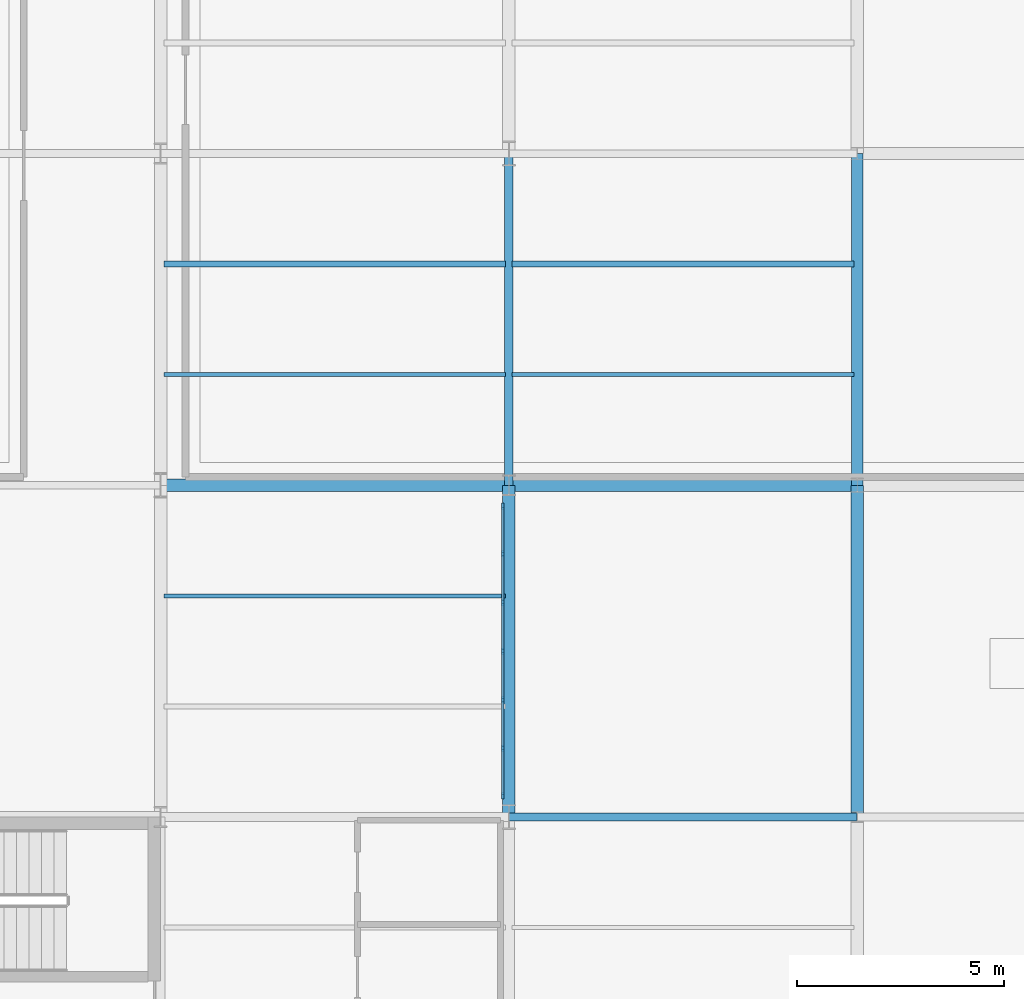
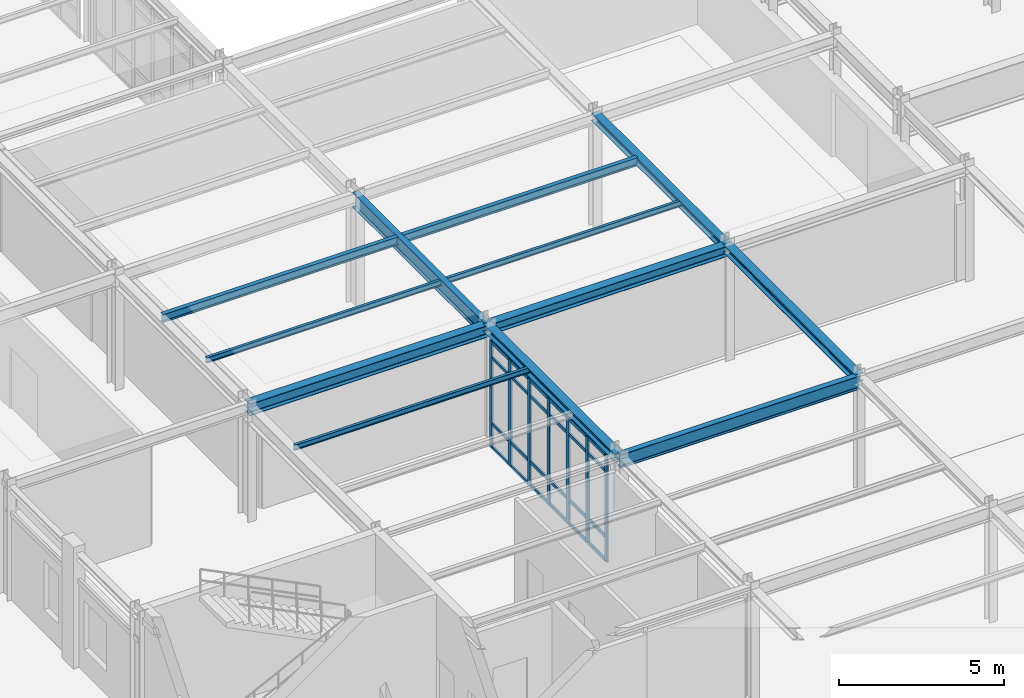
# One storey, part 27 of 101: 31 members, 12 beams, 1 element without a shape of its own.
"""IFC4 building model written with IfcOpenShell, lengths in metres."""

from ifc_helpers import new_model, si_unit, derived_unit, direction, frame, origin, origin_2d, place, context, subcontext, project, spatial, rectangle, i_section, extrude, material, layer, layer_set, material_profile, profile_set, type_object, element, aggregate, save


model = new_model("IFC4")

# Units and contexts
model_context = context("Model", 3, precision=1e-05, world=origin(), true_north=direction((0.0, 1.0)))
body_context = subcontext(model_context, "Body", "Model", "MODEL_VIEW")
ifc_project = project(units=[si_unit("LENGTHUNIT", "METRE"), si_unit("AREAUNIT", "SQUARE_METRE"), si_unit("VOLUMEUNIT", "CUBIC_METRE"), si_unit("PLANEANGLEUNIT", "RADIAN"), si_unit("MASSUNIT", "GRAM", prefix="KILO"), derived_unit("THERMALTRANSMITTANCEUNIT", [(si_unit("POWERUNIT", "WATT"), 1), (si_unit("AREAUNIT", "SQUARE_METRE"), -1), (si_unit("THERMODYNAMICTEMPERATUREUNIT", "KELVIN"), -1)])], contexts=[model_context])

# Site, building, storey
site_placement = place(None, origin())
site = spatial("IfcSite", under=ifc_project, at=site_placement, CompositionType="ELEMENT")
building_placement = place(site_placement, origin())
building = spatial("IfcBuilding", under=site, at=building_placement, Name="Yasenodar Specialist Clinic", CompositionType="ELEMENT")
storey_placement = place(building_placement, origin())
storey = spatial("IfcBuildingStorey", under=building, at=storey_placement, Name="L00", CompositionType="ELEMENT", Elevation=0.0)

# Beams
ifc_material_1 = material(Name="Steel S355", Category="steel")
ifc_material_profile_1 = material_profile(ifc_material_1, i_section(OverallWidth=0.300048828125, OverallDepth=0.2900390625, WebThickness=0.008544921875, FlangeThickness=0.013916015625, FilletRadius=0.027099609375, at=origin_2d()), Name="HEA 300")
ifc_profile_set_1 = profile_set([ifc_material_profile_1], Name="Steel S355")
beam_type_1 = type_object("IfcBeamType", Name="BM-HEA300", PredefinedType="BEAM", material=ifc_profile_set_1)
beam_1_placement = place(storey_placement, frame((16.800048828125, 42.800048828125, 4.10498046875), z_axis=(0.0, 1.0, 0.0), x_axis=(-1.0, 0.0, 0.0)))
element("IfcBeam", 1, at=beam_1_placement, inside=storey, type_object=beam_type_1, Name="L00 Primary N-S Girder", PredefinedType="BEAM", context=body_context, shape_type="SweptSolid", body=[
    extrude(i_section(OverallWidth=0.300048828125, OverallDepth=0.2900390625, WebThickness=0.008544921875, FlangeThickness=0.013916015625, FilletRadius=0.027099609375, at=origin_2d()), origin(), (0.0, 0.0, 1.0), 8.0),
])
ifc_material_profile_2 = material_profile(ifc_material_1, i_section(OverallWidth=0.300048828125, OverallDepth=0.389892578125, WebThickness=0.010986328125, FlangeThickness=0.01904296875, FilletRadius=0.027099609375, at=origin_2d()), Name="HEA 400")
ifc_profile_set_2 = profile_set([ifc_material_profile_2], Name="Steel S355")
beam_type_2 = type_object("IfcBeamType", Name="BM-HEA400", PredefinedType="BEAM", material=ifc_profile_set_2)
beam_2_placement = place(storey_placement, frame((16.800048828125, 50.800048828125, 4.054931640625), z_axis=(1.0, 0.0, 0.0), x_axis=(0.0, 1.0, 0.0)))
element("IfcBeam", 2, at=beam_2_placement, inside=storey, type_object=beam_type_2, Name="L00 Primary E-W Girder", PredefinedType="BEAM", context=body_context, shape_type="SweptSolid", body=[
    extrude(i_section(OverallWidth=0.300048828125, OverallDepth=0.389892578125, WebThickness=0.010986328125, FlangeThickness=0.01904296875, FilletRadius=0.027099609375, at=origin_2d()), origin(), (0.0, 0.0, 1.0), 8.39990234375),
])
ifc_material_profile_3 = material_profile(ifc_material_1, i_section(OverallWidth=0.300048828125, OverallDepth=0.43994140625, WebThickness=0.011474609375, FlangeThickness=0.02099609375, FilletRadius=0.027099609375, at=origin_2d()), Name="HEA 450")
ifc_profile_set_3 = profile_set([ifc_material_profile_3], Name="Steel S355")
beam_type_3 = type_object("IfcBeamType", Name="BM-HEA450", PredefinedType="BEAM", material=ifc_profile_set_3)
beam_3_placement = place(storey_placement, frame((8.39990234375, 50.800048828125, 4.030029296875), z_axis=(1.0, 0.0, 0.0), x_axis=(0.0, 1.0, 0.0)))
element("IfcBeam", 3, at=beam_3_placement, inside=storey, type_object=beam_type_3, Name="L00 Primary E-W Girder", PredefinedType="BEAM", context=body_context, shape_type="SweptSolid", body=[
    extrude(i_section(OverallWidth=0.300048828125, OverallDepth=0.43994140625, WebThickness=0.011474609375, FlangeThickness=0.02099609375, FilletRadius=0.027099609375, at=origin_2d()), origin(), (0.0, 0.0, 1.0), 8.400146484375),
])
ifc_material_profile_4 = material_profile(ifc_material_1, i_section(OverallWidth=0.280029296875, OverallDepth=0.280029296875, WebThickness=0.010498046875, FlangeThickness=0.01806640625, FilletRadius=0.02392578125, at=origin_2d()), Name="HEB 280")
ifc_profile_set_4 = profile_set([ifc_material_profile_4], Name="Steel S355")
beam_type_4 = type_object("IfcBeamType", Name="BM-HEB280", PredefinedType="BEAM", material=ifc_profile_set_4)
beam_4_placement = place(storey_placement, frame((25.199951171875, 50.800048828125, 4.110107421875), z_axis=(0.0, 1.0, 0.0), x_axis=(-1.0, 0.0, 0.0)))
element("IfcBeam", 4, at=beam_4_placement, inside=storey, type_object=beam_type_4, Name="L00 Primary N-S Girder", PredefinedType="BEAM", context=body_context, shape_type="SweptSolid", body=[
    extrude(i_section(OverallWidth=0.280029296875, OverallDepth=0.280029296875, WebThickness=0.010498046875, FlangeThickness=0.01806640625, FilletRadius=0.02392578125, at=origin_2d()), origin(), (0.0, 0.0, 1.0), 8.0),
])
ifc_material_profile_5 = material_profile(ifc_material_1, i_section(OverallWidth=0.300048828125, OverallDepth=0.300048828125, WebThickness=0.010986328125, FlangeThickness=0.01904296875, FilletRadius=0.027099609375, at=origin_2d()), Name="HEB 300")
ifc_profile_set_5 = profile_set([ifc_material_profile_5], Name="Steel S355")
beam_type_5 = type_object("IfcBeamType", Name="BM-HEB300", PredefinedType="BEAM", material=ifc_profile_set_5)
beam_5_placement = place(storey_placement, frame((25.199951171875, 42.800048828125, 4.10009765625), z_axis=(0.0, 1.0, 0.0), x_axis=(-1.0, 0.0, 0.0)))
element("IfcBeam", 5, at=beam_5_placement, inside=storey, type_object=beam_type_5, Name="L00 Primary N-S Girder", PredefinedType="BEAM", context=body_context, shape_type="SweptSolid", body=[
    extrude(i_section(OverallWidth=0.300048828125, OverallDepth=0.300048828125, WebThickness=0.010986328125, FlangeThickness=0.01904296875, FilletRadius=0.027099609375, at=origin_2d()), origin(), (0.0, 0.0, 1.0), 8.0),
])
ifc_material_profile_6 = material_profile(ifc_material_1, i_section(OverallWidth=0.199951171875, OverallDepth=0.5, WebThickness=0.01025390625, FlangeThickness=0.01611328125, FilletRadius=0.02099609375, at=origin_2d()), Name="IPE 500")
ifc_profile_set_6 = profile_set([ifc_material_profile_6], Name="Steel S355")
beam_type_6 = type_object("IfcBeamType", Name="BM-IPE500", PredefinedType="BEAM", material=ifc_profile_set_6)
beam_6_placement = place(storey_placement, frame((16.800048828125, 42.800048828125, 4.0), z_axis=(1.0, 0.0, 0.0), x_axis=(0.0, 1.0, 0.0)))
element("IfcBeam", 6, at=beam_6_placement, inside=storey, type_object=beam_type_6, Name="L00 Primary E-W Girder", PredefinedType="BEAM", context=body_context, shape_type="SweptSolid", body=[
    extrude(i_section(OverallWidth=0.199951171875, OverallDepth=0.5, WebThickness=0.01025390625, FlangeThickness=0.01611328125, FilletRadius=0.02099609375, at=origin_2d()), origin(), (0.0, 0.0, 1.0), 8.39990234375),
])
ifc_material_profile_7 = material_profile(ifc_material_1, i_section(OverallWidth=0.2099609375, OverallDepth=0.550048828125, WebThickness=0.010986328125, FlangeThickness=0.01708984375, FilletRadius=0.02392578125, at=origin_2d()), Name="IPE 550")
ifc_profile_set_7 = profile_set([ifc_material_profile_7], Name="Steel S355")
beam_type_7 = type_object("IfcBeamType", Name="BM-IPE550", PredefinedType="BEAM", material=ifc_profile_set_7)
beam_7_placement = place(storey_placement, frame((16.800048828125, 50.800048828125, 3.97509765625), z_axis=(0.0, 1.0, 0.0), x_axis=(-1.0, 0.0, 0.0)))
element("IfcBeam", 7, at=beam_7_placement, inside=storey, type_object=beam_type_7, Name="L00 Primary N-S Girder", PredefinedType="BEAM", context=body_context, shape_type="SweptSolid", body=[
    extrude(i_section(OverallWidth=0.2099609375, OverallDepth=0.550048828125, WebThickness=0.010986328125, FlangeThickness=0.01708984375, FilletRadius=0.02392578125, at=origin_2d()), origin(), (0.0, 0.0, 1.0), 8.0),
])

# Curtain wall, members
ifc_material_2 = material(Name="Bronze Anodized Aluminium and Triple Low-E Glass", Category="aluminium")
ifc_layer = layer(ifc_material_2, 0.202880859375)
ifc_layer_set = layer_set([ifc_layer], Name="Bronze Anodized Aluminium and Triple Low-E Glass")
curtain_wall_type = type_object("IfcCurtainWallType", Name="CW-SYS-04", PredefinedType="USERDEFINED", material=ifc_layer_set)
curtain_wall_placement = place(storey_placement, origin())
curtain_wall = element("IfcCurtainWall", 8, at=curtain_wall_placement, inside=storey, type_object=curtain_wall_type, Name="L00 Unitised Curtain Wall 118", ObjectType="UNITISED CURTAIN WALL", PredefinedType="USERDEFINED")
ifc_material_3 = material(Name="Bronze Anodized Aluminium", Category="aluminium")
ifc_material_profile_8 = material_profile(ifc_material_3, rectangle(XDim=0.06005859375, YDim=0.159912109375, at=origin_2d()), Name="CW-MULL 60x160")
ifc_profile_set_8 = profile_set([ifc_material_profile_8], Name="Bronze Anodized Aluminium")
member_type_1 = type_object("IfcMemberType", Name="CW-MULL-160", PredefinedType="MULLION", material=ifc_profile_set_8)
member_1_placement = place(storey_placement, frame((16.64990234375, 50.2900390625, 0.0), z_axis=(0.0, 0.0, 1.0), x_axis=(1.0, 0.0, 0.0)))
member_1 = element("IfcMember", 9, at=member_1_placement, type_object=member_type_1, Name="CW-04 mullion 1", PredefinedType="MULLION", context=body_context, shape_type="SweptSolid", body=[
    extrude(rectangle(XDim=0.06005859375, YDim=0.159912109375, at=origin_2d()), origin(), (0.0, 0.0, 1.0), 3.93798828125),
])
member_2_placement = place(storey_placement, frame((16.64990234375, 49.146728515625, 0.0), z_axis=(0.0, 0.0, 1.0), x_axis=(1.0, 0.0, 0.0)))
member_2 = element("IfcMember", 10, at=member_2_placement, type_object=member_type_1, Name="CW-04 mullion 2", PredefinedType="MULLION", context=body_context, shape_type="SweptSolid", body=[
    extrude(rectangle(XDim=0.06005859375, YDim=0.159912109375, at=origin_2d()), origin(), (0.0, 0.0, 1.0), 3.93798828125),
])
member_3_placement = place(storey_placement, frame((16.64990234375, 47.973388671875, 0.0), z_axis=(0.0, 0.0, 1.0), x_axis=(1.0, 0.0, 0.0)))
member_3 = element("IfcMember", 11, at=member_3_placement, type_object=member_type_1, Name="CW-04 mullion 3", PredefinedType="MULLION", context=body_context, shape_type="SweptSolid", body=[
    extrude(rectangle(XDim=0.06005859375, YDim=0.159912109375, at=origin_2d()), origin(), (0.0, 0.0, 1.0), 3.93798828125),
])
member_4_placement = place(storey_placement, frame((16.64990234375, 46.800048828125, 0.0), z_axis=(0.0, 0.0, 1.0), x_axis=(1.0, 0.0, 0.0)))
member_4 = element("IfcMember", 12, at=member_4_placement, type_object=member_type_1, Name="CW-04 mullion 4", PredefinedType="MULLION", context=body_context, shape_type="SweptSolid", body=[
    extrude(rectangle(XDim=0.06005859375, YDim=0.159912109375, at=origin_2d()), origin(), (0.0, 0.0, 1.0), 3.93798828125),
])
member_5_placement = place(storey_placement, frame((16.64990234375, 45.626708984375, 0.0), z_axis=(0.0, 0.0, 1.0), x_axis=(1.0, 0.0, 0.0)))
member_5 = element("IfcMember", 13, at=member_5_placement, type_object=member_type_1, Name="CW-04 mullion 5", PredefinedType="MULLION", context=body_context, shape_type="SweptSolid", body=[
    extrude(rectangle(XDim=0.06005859375, YDim=0.159912109375, at=origin_2d()), origin(), (0.0, 0.0, 1.0), 3.93798828125),
])
member_6_placement = place(storey_placement, frame((16.64990234375, 44.453369140625, 0.0), z_axis=(0.0, 0.0, 1.0), x_axis=(1.0, 0.0, 0.0)))
member_6 = element("IfcMember", 14, at=member_6_placement, type_object=member_type_1, Name="CW-04 mullion 6", PredefinedType="MULLION", context=body_context, shape_type="SweptSolid", body=[
    extrude(rectangle(XDim=0.06005859375, YDim=0.159912109375, at=origin_2d()), origin(), (0.0, 0.0, 1.0), 3.93798828125),
])
member_7_placement = place(storey_placement, frame((16.64990234375, 43.31005859375, 0.0), z_axis=(0.0, 0.0, 1.0), x_axis=(1.0, 0.0, 0.0)))
member_7 = element("IfcMember", 15, at=member_7_placement, type_object=member_type_1, Name="CW-04 mullion 7", PredefinedType="MULLION", context=body_context, shape_type="SweptSolid", body=[
    extrude(rectangle(XDim=0.06005859375, YDim=0.159912109375, at=origin_2d()), origin(), (0.0, 0.0, 1.0), 3.93798828125),
])
ifc_material_profile_9 = material_profile(ifc_material_3, rectangle(XDim=0.06005859375, YDim=0.1201171875, at=origin_2d()), Name="CW-TRAN 60x120")
ifc_profile_set_9 = profile_set([ifc_material_profile_9], Name="Bronze Anodized Aluminium")
member_type_2 = type_object("IfcMemberType", Name="CW-TRAN-120", PredefinedType="USERDEFINED", material=ifc_profile_set_9)
member_8_placement = place(storey_placement, frame((16.64990234375, 50.260009765625, 0.030029296875), z_axis=(0.0, -1.0, 0.0), x_axis=(1.0, 0.0, 0.0)))
member_8 = element("IfcMember", 16, at=member_8_placement, type_object=member_type_2, Name="CW-04 transom 1.1", ObjectType="TRANSOM", PredefinedType="USERDEFINED", context=body_context, shape_type="SweptSolid", body=[
    extrude(rectangle(XDim=0.06005859375, YDim=0.1201171875, at=origin_2d()), origin(), (0.0, 0.0, 1.0), 1.083251953125),
])
member_9_placement = place(storey_placement, frame((16.64990234375, 50.260009765625, 0.89990234375), z_axis=(0.0, -1.0, 0.0), x_axis=(1.0, 0.0, 0.0)))
member_9 = element("IfcMember", 17, at=member_9_placement, type_object=member_type_2, Name="CW-04 transom 1.2", ObjectType="TRANSOM", PredefinedType="USERDEFINED", context=body_context, shape_type="SweptSolid", body=[
    extrude(rectangle(XDim=0.06005859375, YDim=0.1201171875, at=origin_2d()), origin(), (0.0, 0.0, 1.0), 1.083251953125),
])
member_10_placement = place(storey_placement, frame((16.64990234375, 50.260009765625, 3.337890625), z_axis=(0.0, -1.0, 0.0), x_axis=(1.0, 0.0, 0.0)))
member_10 = element("IfcMember", 18, at=member_10_placement, type_object=member_type_2, Name="CW-04 transom 1.3", ObjectType="TRANSOM", PredefinedType="USERDEFINED", context=body_context, shape_type="SweptSolid", body=[
    extrude(rectangle(XDim=0.06005859375, YDim=0.1201171875, at=origin_2d()), origin(), (0.0, 0.0, 1.0), 1.083251953125),
])
member_11_placement = place(storey_placement, frame((16.64990234375, 50.260009765625, 3.907958984375), z_axis=(0.0, -1.0, 0.0), x_axis=(1.0, 0.0, 0.0)))
member_11 = element("IfcMember", 19, at=member_11_placement, type_object=member_type_2, Name="CW-04 transom 1.4", ObjectType="TRANSOM", PredefinedType="USERDEFINED", context=body_context, shape_type="SweptSolid", body=[
    extrude(rectangle(XDim=0.06005859375, YDim=0.1201171875, at=origin_2d()), origin(), (0.0, 0.0, 1.0), 1.083251953125),
])
member_12_placement = place(storey_placement, frame((16.64990234375, 49.11669921875, 0.030029296875), z_axis=(0.0, -1.0, 0.0), x_axis=(1.0, 0.0, 0.0)))
member_12 = element("IfcMember", 20, at=member_12_placement, type_object=member_type_2, Name="CW-04 transom 2.1", ObjectType="TRANSOM", PredefinedType="USERDEFINED", context=body_context, shape_type="SweptSolid", body=[
    extrude(rectangle(XDim=0.06005859375, YDim=0.1201171875, at=origin_2d()), origin(), (0.0, 0.0, 1.0), 1.11328125),
])
member_13_placement = place(storey_placement, frame((16.64990234375, 49.11669921875, 0.89990234375), z_axis=(0.0, -1.0, 0.0), x_axis=(1.0, 0.0, 0.0)))
member_13 = element("IfcMember", 21, at=member_13_placement, type_object=member_type_2, Name="CW-04 transom 2.2", ObjectType="TRANSOM", PredefinedType="USERDEFINED", context=body_context, shape_type="SweptSolid", body=[
    extrude(rectangle(XDim=0.06005859375, YDim=0.1201171875, at=origin_2d()), origin(), (0.0, 0.0, 1.0), 1.11328125),
])
member_14_placement = place(storey_placement, frame((16.64990234375, 49.11669921875, 3.337890625), z_axis=(0.0, -1.0, 0.0), x_axis=(1.0, 0.0, 0.0)))
member_14 = element("IfcMember", 22, at=member_14_placement, type_object=member_type_2, Name="CW-04 transom 2.3", ObjectType="TRANSOM", PredefinedType="USERDEFINED", context=body_context, shape_type="SweptSolid", body=[
    extrude(rectangle(XDim=0.06005859375, YDim=0.1201171875, at=origin_2d()), origin(), (0.0, 0.0, 1.0), 1.11328125),
])
member_15_placement = place(storey_placement, frame((16.64990234375, 49.11669921875, 3.907958984375), z_axis=(0.0, -1.0, 0.0), x_axis=(1.0, 0.0, 0.0)))
member_15 = element("IfcMember", 23, at=member_15_placement, type_object=member_type_2, Name="CW-04 transom 2.4", ObjectType="TRANSOM", PredefinedType="USERDEFINED", context=body_context, shape_type="SweptSolid", body=[
    extrude(rectangle(XDim=0.06005859375, YDim=0.1201171875, at=origin_2d()), origin(), (0.0, 0.0, 1.0), 1.11328125),
])
member_16_placement = place(storey_placement, frame((16.64990234375, 47.943359375, 0.030029296875), z_axis=(0.0, -1.0, 0.0), x_axis=(1.0, 0.0, 0.0)))
member_16 = element("IfcMember", 24, at=member_16_placement, type_object=member_type_2, Name="CW-04 transom 3.1", ObjectType="TRANSOM", PredefinedType="USERDEFINED", context=body_context, shape_type="SweptSolid", body=[
    extrude(rectangle(XDim=0.06005859375, YDim=0.1201171875, at=origin_2d()), origin(), (0.0, 0.0, 1.0), 1.11328125),
])
member_17_placement = place(storey_placement, frame((16.64990234375, 47.943359375, 0.89990234375), z_axis=(0.0, -1.0, 0.0), x_axis=(1.0, 0.0, 0.0)))
member_17 = element("IfcMember", 25, at=member_17_placement, type_object=member_type_2, Name="CW-04 transom 3.2", ObjectType="TRANSOM", PredefinedType="USERDEFINED", context=body_context, shape_type="SweptSolid", body=[
    extrude(rectangle(XDim=0.06005859375, YDim=0.1201171875, at=origin_2d()), origin(), (0.0, 0.0, 1.0), 1.11328125),
])
member_18_placement = place(storey_placement, frame((16.64990234375, 47.943359375, 3.337890625), z_axis=(0.0, -1.0, 0.0), x_axis=(1.0, 0.0, 0.0)))
member_18 = element("IfcMember", 26, at=member_18_placement, type_object=member_type_2, Name="CW-04 transom 3.3", ObjectType="TRANSOM", PredefinedType="USERDEFINED", context=body_context, shape_type="SweptSolid", body=[
    extrude(rectangle(XDim=0.06005859375, YDim=0.1201171875, at=origin_2d()), origin(), (0.0, 0.0, 1.0), 1.11328125),
])
member_19_placement = place(storey_placement, frame((16.64990234375, 47.943359375, 3.907958984375), z_axis=(0.0, -1.0, 0.0), x_axis=(1.0, 0.0, 0.0)))
member_19 = element("IfcMember", 27, at=member_19_placement, type_object=member_type_2, Name="CW-04 transom 3.4", ObjectType="TRANSOM", PredefinedType="USERDEFINED", context=body_context, shape_type="SweptSolid", body=[
    extrude(rectangle(XDim=0.06005859375, YDim=0.1201171875, at=origin_2d()), origin(), (0.0, 0.0, 1.0), 1.11328125),
])
member_20_placement = place(storey_placement, frame((16.64990234375, 46.77001953125, 0.030029296875), z_axis=(0.0, -1.0, 0.0), x_axis=(1.0, 0.0, 0.0)))
member_20 = element("IfcMember", 28, at=member_20_placement, type_object=member_type_2, Name="CW-04 transom 4.1", ObjectType="TRANSOM", PredefinedType="USERDEFINED", context=body_context, shape_type="SweptSolid", body=[
    extrude(rectangle(XDim=0.06005859375, YDim=0.1201171875, at=origin_2d()), origin(), (0.0, 0.0, 1.0), 1.11328125),
])
member_21_placement = place(storey_placement, frame((16.64990234375, 46.77001953125, 0.89990234375), z_axis=(0.0, -1.0, 0.0), x_axis=(1.0, 0.0, 0.0)))
member_21 = element("IfcMember", 29, at=member_21_placement, type_object=member_type_2, Name="CW-04 transom 4.2", ObjectType="TRANSOM", PredefinedType="USERDEFINED", context=body_context, shape_type="SweptSolid", body=[
    extrude(rectangle(XDim=0.06005859375, YDim=0.1201171875, at=origin_2d()), origin(), (0.0, 0.0, 1.0), 1.11328125),
])
member_22_placement = place(storey_placement, frame((16.64990234375, 46.77001953125, 3.337890625), z_axis=(0.0, -1.0, 0.0), x_axis=(1.0, 0.0, 0.0)))
member_22 = element("IfcMember", 30, at=member_22_placement, type_object=member_type_2, Name="CW-04 transom 4.3", ObjectType="TRANSOM", PredefinedType="USERDEFINED", context=body_context, shape_type="SweptSolid", body=[
    extrude(rectangle(XDim=0.06005859375, YDim=0.1201171875, at=origin_2d()), origin(), (0.0, 0.0, 1.0), 1.11328125),
])
member_23_placement = place(storey_placement, frame((16.64990234375, 46.77001953125, 3.907958984375), z_axis=(0.0, -1.0, 0.0), x_axis=(1.0, 0.0, 0.0)))
member_23 = element("IfcMember", 31, at=member_23_placement, type_object=member_type_2, Name="CW-04 transom 4.4", ObjectType="TRANSOM", PredefinedType="USERDEFINED", context=body_context, shape_type="SweptSolid", body=[
    extrude(rectangle(XDim=0.06005859375, YDim=0.1201171875, at=origin_2d()), origin(), (0.0, 0.0, 1.0), 1.11328125),
])
member_24_placement = place(storey_placement, frame((16.64990234375, 45.5966796875, 0.030029296875), z_axis=(0.0, -1.0, 0.0), x_axis=(1.0, 0.0, 0.0)))
member_24 = element("IfcMember", 32, at=member_24_placement, type_object=member_type_2, Name="CW-04 transom 5.1", ObjectType="TRANSOM", PredefinedType="USERDEFINED", context=body_context, shape_type="SweptSolid", body=[
    extrude(rectangle(XDim=0.06005859375, YDim=0.1201171875, at=origin_2d()), origin(), (0.0, 0.0, 1.0), 1.11328125),
])
member_25_placement = place(storey_placement, frame((16.64990234375, 45.5966796875, 0.89990234375), z_axis=(0.0, -1.0, 0.0), x_axis=(1.0, 0.0, 0.0)))
member_25 = element("IfcMember", 33, at=member_25_placement, type_object=member_type_2, Name="CW-04 transom 5.2", ObjectType="TRANSOM", PredefinedType="USERDEFINED", context=body_context, shape_type="SweptSolid", body=[
    extrude(rectangle(XDim=0.06005859375, YDim=0.1201171875, at=origin_2d()), origin(), (0.0, 0.0, 1.0), 1.11328125),
])
member_26_placement = place(storey_placement, frame((16.64990234375, 45.5966796875, 3.337890625), z_axis=(0.0, -1.0, 0.0), x_axis=(1.0, 0.0, 0.0)))
member_26 = element("IfcMember", 34, at=member_26_placement, type_object=member_type_2, Name="CW-04 transom 5.3", ObjectType="TRANSOM", PredefinedType="USERDEFINED", context=body_context, shape_type="SweptSolid", body=[
    extrude(rectangle(XDim=0.06005859375, YDim=0.1201171875, at=origin_2d()), origin(), (0.0, 0.0, 1.0), 1.11328125),
])
member_27_placement = place(storey_placement, frame((16.64990234375, 45.5966796875, 3.907958984375), z_axis=(0.0, -1.0, 0.0), x_axis=(1.0, 0.0, 0.0)))
member_27 = element("IfcMember", 35, at=member_27_placement, type_object=member_type_2, Name="CW-04 transom 5.4", ObjectType="TRANSOM", PredefinedType="USERDEFINED", context=body_context, shape_type="SweptSolid", body=[
    extrude(rectangle(XDim=0.06005859375, YDim=0.1201171875, at=origin_2d()), origin(), (0.0, 0.0, 1.0), 1.11328125),
])
member_28_placement = place(storey_placement, frame((16.64990234375, 44.42333984375, 0.030029296875), z_axis=(0.0, -1.0, 0.0), x_axis=(1.0, 0.0, 0.0)))
member_28 = element("IfcMember", 36, at=member_28_placement, type_object=member_type_2, Name="CW-04 transom 6.1", ObjectType="TRANSOM", PredefinedType="USERDEFINED", context=body_context, shape_type="SweptSolid", body=[
    extrude(rectangle(XDim=0.06005859375, YDim=0.1201171875, at=origin_2d()), origin(), (0.0, 0.0, 1.0), 1.083251953125),
])
member_29_placement = place(storey_placement, frame((16.64990234375, 44.42333984375, 0.89990234375), z_axis=(0.0, -1.0, 0.0), x_axis=(1.0, 0.0, 0.0)))
member_29 = element("IfcMember", 37, at=member_29_placement, type_object=member_type_2, Name="CW-04 transom 6.2", ObjectType="TRANSOM", PredefinedType="USERDEFINED", context=body_context, shape_type="SweptSolid", body=[
    extrude(rectangle(XDim=0.06005859375, YDim=0.1201171875, at=origin_2d()), origin(), (0.0, 0.0, 1.0), 1.083251953125),
])
member_30_placement = place(storey_placement, frame((16.64990234375, 44.42333984375, 3.337890625), z_axis=(0.0, -1.0, 0.0), x_axis=(1.0, 0.0, 0.0)))
member_30 = element("IfcMember", 38, at=member_30_placement, type_object=member_type_2, Name="CW-04 transom 6.3", ObjectType="TRANSOM", PredefinedType="USERDEFINED", context=body_context, shape_type="SweptSolid", body=[
    extrude(rectangle(XDim=0.06005859375, YDim=0.1201171875, at=origin_2d()), origin(), (0.0, 0.0, 1.0), 1.083251953125),
])
member_31_placement = place(storey_placement, frame((16.64990234375, 44.42333984375, 3.907958984375), z_axis=(0.0, -1.0, 0.0), x_axis=(1.0, 0.0, 0.0)))
member_31 = element("IfcMember", 39, at=member_31_placement, type_object=member_type_2, Name="CW-04 transom 6.4", ObjectType="TRANSOM", PredefinedType="USERDEFINED", context=body_context, shape_type="SweptSolid", body=[
    extrude(rectangle(XDim=0.06005859375, YDim=0.1201171875, at=origin_2d()), origin(), (0.0, 0.0, 1.0), 1.083251953125),
])
aggregate(curtain_wall, [member_1, member_2, member_3, member_4, member_5, member_6, member_7, member_8, member_9, member_10, member_11, member_12, member_13, member_14, member_15, member_16, member_17, member_18, member_19, member_20, member_21, member_22, member_23, member_24, member_25, member_26, member_27, member_28, member_29, member_30, member_31])

# Beams
ifc_material_profile_10 = material_profile(ifc_material_1, i_section(OverallWidth=0.10009765625, OverallDepth=0.199951171875, WebThickness=0.005615234375, FlangeThickness=0.008544921875, FilletRadius=0.011962890625, at=origin_2d()), Name="IPE 200")
ifc_profile_set_10 = profile_set([ifc_material_profile_10], Name="Steel S355")
beam_type_8 = type_object("IfcBeamType", Name="JS-IPE200", PredefinedType="JOIST", material=ifc_profile_set_10)
for number, where, z_axis, x_axis, name in (
    (40, (8.47998046875, 48.13330078125, 4.14990234375), (1.0, 0.0, 0.0), (0.0, 1.0, 0.0), "L00 Composite Floor Joist"),
    (41, (8.47998046875, 53.466796875, 4.14990234375), (1.0, 0.0, 0.0), (0.0, 1.0, 0.0), "L00 Composite Floor Joist"),
):
    element("IfcBeam", number, at=place(storey_placement, frame(where, z_axis=z_axis, x_axis=x_axis)), inside=storey, type_object=beam_type_8, Name=name, PredefinedType="JOIST", context=body_context, shape_type="SweptSolid", body=[
        extrude(i_section(OverallWidth=0.10009765625, OverallDepth=0.199951171875, WebThickness=0.005615234375, FlangeThickness=0.008544921875, FilletRadius=0.011962890625, at=origin_2d()), origin(), (0.0, 0.0, 1.0), 8.239990234375),
    ])
beam_8_placement = place(storey_placement, frame((16.8798828125, 53.466796875, 4.14990234375), z_axis=(1.0, 0.0, 0.0), x_axis=(0.0, 1.0, 0.0)))
element("IfcBeam", 42, at=beam_8_placement, inside=storey, type_object=beam_type_8, Name="L00 Composite Floor Joist", PredefinedType="JOIST", context=body_context, shape_type="SweptSolid", body=[
    extrude(i_section(OverallWidth=0.10009765625, OverallDepth=0.199951171875, WebThickness=0.005615234375, FlangeThickness=0.008544921875, FilletRadius=0.011962890625, at=origin_2d()), origin(), (0.0, 0.0, 1.0), 8.240234375),
])
ifc_material_profile_11 = material_profile(ifc_material_1, i_section(OverallWidth=0.14990234375, OverallDepth=0.300048828125, WebThickness=0.007080078125, FlangeThickness=0.0107421875, FilletRadius=0.014892578125, at=origin_2d()), Name="IPE 300")
ifc_profile_set_11 = profile_set([ifc_material_profile_11], Name="Steel S355")
beam_type_9 = type_object("IfcBeamType", Name="JS-IPE300", PredefinedType="JOIST", material=ifc_profile_set_11)
beam_9_placement = place(storey_placement, frame((8.47998046875, 56.13330078125, 4.10009765625), z_axis=(1.0, 0.0, 0.0), x_axis=(0.0, 1.0, 0.0)))
element("IfcBeam", 43, at=beam_9_placement, inside=storey, type_object=beam_type_9, Name="L00 Composite Floor Joist", PredefinedType="JOIST", context=body_context, shape_type="SweptSolid", body=[
    extrude(i_section(OverallWidth=0.14990234375, OverallDepth=0.300048828125, WebThickness=0.007080078125, FlangeThickness=0.0107421875, FilletRadius=0.014892578125, at=origin_2d()), origin(), (0.0, 0.0, 1.0), 8.239990234375),
])
beam_10_placement = place(storey_placement, frame((16.8798828125, 56.13330078125, 4.10009765625), z_axis=(1.0, 0.0, 0.0), x_axis=(0.0, 1.0, 0.0)))
element("IfcBeam", 44, at=beam_10_placement, inside=storey, type_object=beam_type_9, Name="L00 Composite Floor Joist", PredefinedType="JOIST", context=body_context, shape_type="SweptSolid", body=[
    extrude(i_section(OverallWidth=0.14990234375, OverallDepth=0.300048828125, WebThickness=0.007080078125, FlangeThickness=0.0107421875, FilletRadius=0.014892578125, at=origin_2d()), origin(), (0.0, 0.0, 1.0), 8.240234375),
])

save(model, "model.ifc")
